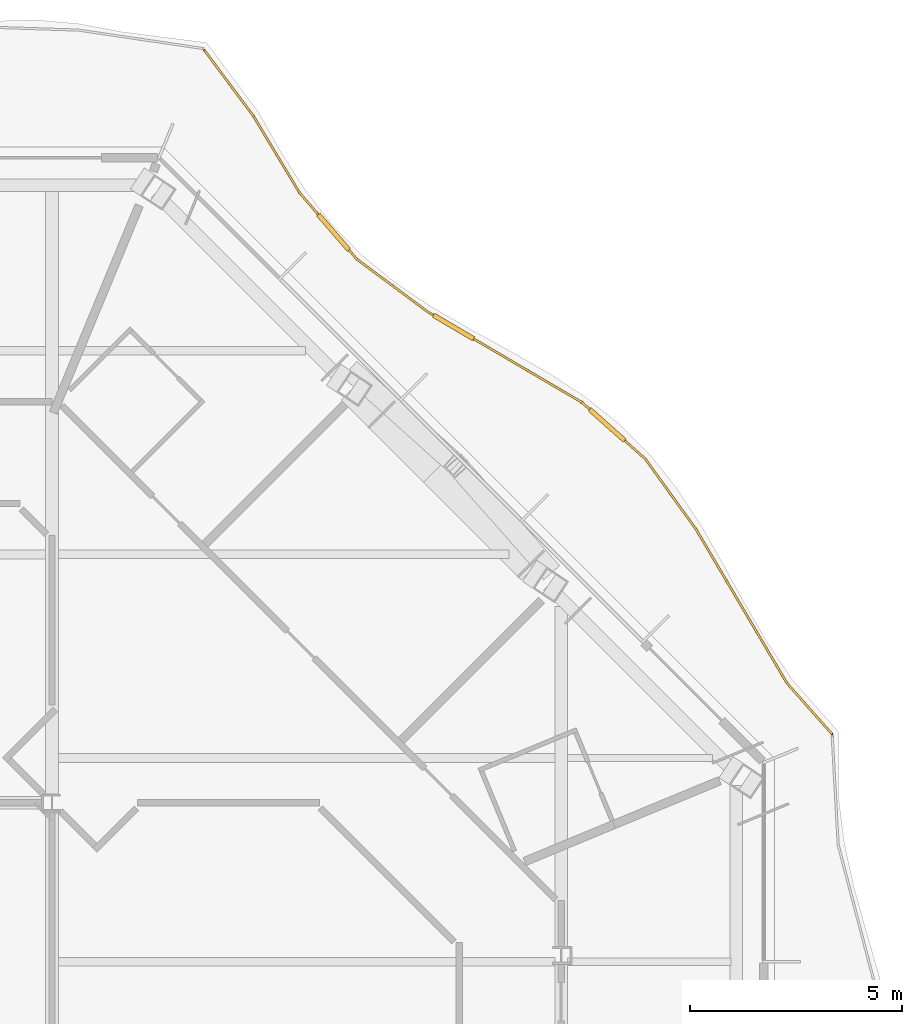
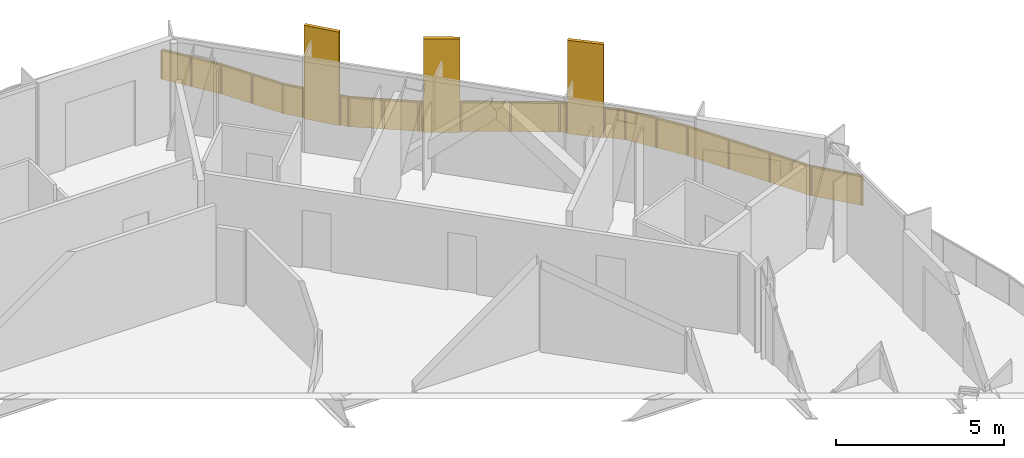
# One storey, part 22 of 22: 1 railing.
"""IFC4 building model written with IfcOpenShell, lengths in metres."""

import ifcopenshell
import ifcopenshell.guid

model = None  # the IFC model being written
_history = None  # IfcOwnerHistory: only IFC2X3 demands one
_inside = {}  # id of a spatial element -> (the spatial element, [elements in it])
_under = {}  # id of a project, library or spatial element -> (it, [spatial elements below it])
_declared = {}  # id of a project -> (the project, [libraries it declares])
_typed = {}  # id of a type object -> (the type object, [elements of that type])
_made_of = {}  # id of a material, layer set ... -> (it, [elements and type objects made of it])


def new_model(schema):
    """Start an empty IFC model of exactly this schema.

    Asked for "IFC4X3", IfcOpenShell would pick the latest addendum, in which some entities
    have other attributes; the version numbers below select the first issue.
    IFC2X3 requires an IfcOwnerHistory on every rooted entity: one is made here for all.
    """
    global model, _history
    if schema == "IFC4X3":
        model = ifcopenshell.file(schema_version=(4, 3, 0, 0))
    else:
        model = ifcopenshell.file(schema=schema)
    _inside.clear()
    _under.clear()
    _declared.clear()
    _typed.clear()
    _made_of.clear()
    _history = None
    if model.schema == "IFC2X3":
        org = make("IfcOrganization", Name="unknown")
        user = make(
            "IfcPersonAndOrganization",
            ThePerson=make("IfcPerson", FamilyName="unknown"),
            TheOrganization=org,
        )
        app = make(
            "IfcApplication",
            ApplicationDeveloper=org,
            Version="unknown",
            ApplicationFullName="unknown",
            ApplicationIdentifier="unknown",
        )
        _history = make(
            "IfcOwnerHistory",
            OwningUser=user,
            OwningApplication=app,
            ChangeAction="ADDED",
            CreationDate=0,
        )
    return model


def make(cls, **values):
    """One entity of the class cls with the attributes given. An attribute that is None is left unset."""
    return model.create_entity(
        cls, **{name: value for name, value in values.items() if value is not None}
    )


def rooted(cls, **values):
    """An entity with a GlobalId (a new one), such as an element, a storey or a relation."""
    return make(cls, GlobalId=ifcopenshell.guid.new(), OwnerHistory=_history, **values)


def si_unit(unit_type, name, prefix=None):
    """IfcSIUnit, for example si_unit("LENGTHUNIT", "METRE", prefix="MILLI")."""
    return make("IfcSIUnit", UnitType=unit_type, Prefix=prefix, Name=name)


def assignment(units):
    """IfcUnitAssignment: the units of a project."""
    return None if units is None else make("IfcUnitAssignment", Units=units)


def point(xyz):
    """IfcCartesianPoint."""
    return None if xyz is None else make("IfcCartesianPoint", Coordinates=xyz)


def direction(xyz):
    """IfcDirection."""
    return None if xyz is None else make("IfcDirection", DirectionRatios=xyz)


def frame(location, z_axis=None, x_axis=None):
    """IfcAxis2Placement3D, a coordinate frame: its origin and axes. An axis left out is left unset."""
    return make(
        "IfcAxis2Placement3D",
        Location=point(location),
        Axis=direction(z_axis),
        RefDirection=direction(x_axis),
    )


def frame_2d(location, x_axis=None):
    """IfcAxis2Placement2D, a coordinate frame in the plane: its origin and x axis."""
    return make(
        "IfcAxis2Placement2D", Location=point(location), RefDirection=direction(x_axis)
    )


def origin():
    """The frame at (0, 0, 0) with its axes left unset."""
    return frame((0.0, 0.0, 0.0))


def origin_2d():
    """The frame at (0, 0) in the plane with its x axis left unset."""
    return frame_2d((0.0, 0.0))


def place(relative_to, where):
    """IfcLocalPlacement: puts the frame where relative to a parent placement (None: the world)."""
    return make(
        "IfcLocalPlacement", PlacementRelTo=relative_to, RelativePlacement=where
    )


def context(
    kind, dimensions, precision=None, world=None, true_north=None, identifier=None
):
    """IfcGeometricRepresentationContext, for example the 3D "Model" context."""
    return make(
        "IfcGeometricRepresentationContext",
        ContextIdentifier=identifier,
        ContextType=kind,
        CoordinateSpaceDimension=dimensions,
        Precision=precision,
        WorldCoordinateSystem=world,
        TrueNorth=true_north,
    )


def subcontext(parent, identifier, kind, view, scale=None):
    """IfcGeometricRepresentationSubContext, for example "Body" below "Model"."""
    return make(
        "IfcGeometricRepresentationSubContext",
        ContextIdentifier=identifier,
        ContextType=kind,
        ParentContext=parent,
        TargetScale=scale,
        TargetView=view,
    )


def project(units=None, contexts=None):
    """IfcProject with its units and contexts."""
    return rooted(
        "IfcProject",
        Name="project",
        RepresentationContexts=contexts,
        UnitsInContext=assignment(units),
    )


def spatial(cls, under=None, at=None, **own):
    """A site, building, storey or space (cls), placed at a placement, below another one or the project."""
    s = rooted(cls, ObjectPlacement=at, **own)
    if under is not None:
        _under.setdefault(under.id(), (under, []))[1].append(s)
    return s


def polyline(points):
    """IfcPolyline through the points."""
    return make("IfcPolyline", Points=[point(p) for p in points])


def profile(cls, at=None, kind="AREA", **sizes):
    """A parametric profile (cls). Its sizes go by their IFC names, for example OverallWidth=200.0."""
    return make(cls, ProfileType=kind, Position=at, **sizes)


def rectangle(**sizes):
    """IfcRectangleProfileDef."""
    return profile("IfcRectangleProfileDef", **sizes)


def outline(outer, holes=None, kind="AREA"):
    """IfcArbitraryClosedProfileDef: a profile drawn as a closed curve; with holes, ...WithVoids."""
    if holes is None:
        return make("IfcArbitraryClosedProfileDef", ProfileType=kind, OuterCurve=outer)
    return make(
        "IfcArbitraryProfileDefWithVoids",
        ProfileType=kind,
        OuterCurve=outer,
        InnerCurves=holes,
    )


def extrude(swept, where, along, depth):
    """IfcExtrudedAreaSolid: the profile swept, set in the frame where, extruded along a direction by depth."""
    return make(
        "IfcExtrudedAreaSolid",
        SweptArea=swept,
        Position=where,
        ExtrudedDirection=direction(along),
        Depth=depth,
    )


def shape(context_of_items, identifier, shape_type, items):
    """IfcShapeRepresentation: the items that make up one representation, for example the "Body"."""
    return make(
        "IfcShapeRepresentation",
        ContextOfItems=context_of_items,
        RepresentationIdentifier=identifier,
        RepresentationType=shape_type,
        Items=items,
    )


def material(Name=None, Category=None):
    """IfcMaterial."""
    return make("IfcMaterial", Name=Name, Category=Category)


def made_of(thing, what):
    """Note that an element or type object is made of a material, layer set ...; save() writes the relation."""
    if what is not None:
        _made_of.setdefault(what.id(), (what, []))[1].append(thing)
    return thing


def type_object(cls, material=None, **own):
    """A type object (cls), such as IfcWallType, which elements share."""
    return made_of(rooted(cls, **own), material)


def element(
    cls,
    number,
    at=None,
    inside=None,
    cuts=None,
    type_object=None,
    material=None,
    context=None,
    identifier="Body",
    shape_type=None,
    held_by="IfcProductDefinitionShape",
    body=None,
    shapes=None,
    **own,
):
    """One element of the class cls, such as IfcWall. Its Tag is "e" and its number.

    at: its placement. inside: the storey or other place that contains it. cuts: it is an
    opening in that element (IfcRelVoidsElement). A single representation is given by context,
    identifier, shape_type and body (its items); several are given by shapes. held_by: the class
    of the entity that holds the representations. save() writes the other relations.
    """
    e = rooted(cls, Tag="e%d" % number, ObjectPlacement=at, **own)
    if body is not None:
        shapes = [shape(context, identifier, shape_type, body)]
    if shapes is not None:
        e.Representation = make(held_by, Representations=shapes)
    if inside is not None:
        _inside.setdefault(inside.id(), (inside, []))[1].append(e)
    if cuts is not None:
        rooted(
            "IfcRelVoidsElement", RelatingBuildingElement=cuts, RelatedOpeningElement=e
        )
    if type_object is not None:
        _typed.setdefault(type_object.id(), (type_object, []))[1].append(e)
    return made_of(e, material)


def aggregate(whole, parts):
    """IfcRelAggregates: a whole, such as a stair, and the parts it consists of."""
    return rooted("IfcRelAggregates", RelatingObject=whole, RelatedObjects=parts)


def save(model, path):
    """Write the relations noted so far, then the file.

    IfcRelAggregates (storeys below a building ...), IfcRelContainedInSpatialStructure (elements
    in a storey), IfcRelDefinesByType, IfcRelAssociatesMaterial and IfcRelDeclares: one each for
    every whole, place, type object, material and project.
    """
    for whole, parts in _under.values():
        aggregate(whole, parts)
    for where, things in _inside.values():
        rooted(
            "IfcRelContainedInSpatialStructure",
            RelatedElements=things,
            RelatingStructure=where,
        )
    for kind, things in _typed.values():
        rooted("IfcRelDefinesByType", RelatedObjects=things, RelatingType=kind)
    for what, things in _made_of.values():
        rooted("IfcRelAssociatesMaterial", RelatedObjects=things, RelatingMaterial=what)
    for by, libraries in _declared.values():
        rooted("IfcRelDeclares", RelatingContext=by, RelatedDefinitions=libraries)
    model.write(path)


model = new_model("IFC4")

# Units and contexts
model_context = context("Model", 3, precision=1e-05, world=origin(), true_north=direction((0.0, 1.0)))
body_context = subcontext(model_context, "Body", "Model", "MODEL_VIEW")
ifc_project = project(units=[si_unit("LENGTHUNIT", "METRE"), si_unit("AREAUNIT", "SQUARE_METRE"), si_unit("VOLUMEUNIT", "CUBIC_METRE"), si_unit("PLANEANGLEUNIT", "RADIAN"), si_unit("MASSUNIT", "GRAM", prefix="KILO")], contexts=[model_context])

# Site, building, storey
site_placement = place(None, origin())
site = spatial("IfcSite", under=ifc_project, at=site_placement, CompositionType="ELEMENT")
building_placement = place(site_placement, origin())
building = spatial("IfcBuilding", under=site, at=building_placement, Name="Cairn Pilgrim Tower", CompositionType="ELEMENT")
storey_placement = place(building_placement, frame((0.0, 0.0, 175.800048828125)))
storey = spatial("IfcBuildingStorey", under=building, at=storey_placement, Name="L44", CompositionType="ELEMENT", Elevation=175.800048828125)

# Railing
ifc_material = material(Name="Bronze anodised aluminium rail, posts and fin screens with laminated glass infill", Category="aluminium")
railing_type = type_object("IfcRailingType", Name="BALCONY GUARD WITH FIN SCREENS", PredefinedType="GUARDRAIL", material=ifc_material)
railing_placement = place(storey_placement, frame((37.585693359375, 14.814208984375, 0.0)))
element("IfcRailing", 1, at=railing_placement, inside=storey, type_object=railing_type, Name="Balcony guard BGF-4 with fin screens", PredefinedType="GUARDRAIL", context=body_context, shape_type="SweptSolid", body=[
    extrude(rectangle(XDim=0.050048828125, YDim=0.050048828125, at=origin_2d()), frame((0.0, 0.0, 1.0751953125), z_axis=(-0.662750771144, 0.748840046571, 0.0), x_axis=(-0.748840046571, -0.662750771144, 0.0)), (0.0, 0.0, 1.0), 1.60791015625),
    extrude(rectangle(XDim=0.050048828125, YDim=0.050048828125, at=origin_2d()), frame((-1.065673828125, 1.2041015625, 1.0751953125), z_axis=(-0.508612168448, 0.860995738727, 0.0), x_axis=(-0.860995738727, -0.508612168448, 0.0)), (0.0, 0.0, 1.0), 4.213134765625),
    extrude(rectangle(XDim=0.050048828125, YDim=0.050048828125, at=origin_2d()), frame((-3.20849609375, 4.83154296875, 1.0751953125), z_axis=(-0.585092778876, 0.810966361884, 0.0), x_axis=(-0.810966361884, -0.585092778876, 0.0)), (0.0, 0.0, 1.0), 2.03955078125),
    extrude(rectangle(XDim=1.10009765625, YDim=0.110107421875, at=origin_2d()), frame((-5.301513671875, 7.287841796875, 0.0), z_axis=(0.0, 0.0, 1.0), x_axis=(-0.74630848918, 0.665600209568, 0.0)), (0.0, 0.0, 1.0), 3.39990234375),
    extrude(rectangle(XDim=0.050048828125, YDim=0.050048828125, at=origin_2d()), frame((-4.40185546875, 6.485595703125, 1.0751953125), z_axis=(-0.74630848918, 0.665600209568, 0.0), x_axis=(-0.665600209568, -0.74630848918, 0.0)), (0.0, 0.0, 1.0), 0.655517578125),
    extrude(rectangle(XDim=0.050048828125, YDim=0.050048828125, at=origin_2d()), frame((-5.7119140625, 7.654052734375, 1.0751953125), z_axis=(-0.74630848918, 0.665600209568, 0.0), x_axis=(-0.665600209568, -0.74630848918, 0.0)), (0.0, 0.0, 1.0), 0.253173828125),
    extrude(rectangle(XDim=1.10009765625, YDim=0.110107421875, at=origin_2d()), frame((-8.9208984375, 9.59521484375, 0.0), z_axis=(0.0, 0.0, 1.0), x_axis=(-0.862420746519, 0.506192113702, 0.0)), (0.0, 0.0, 1.0), 3.39990234375),
    extrude(rectangle(XDim=0.050048828125, YDim=0.050048828125, at=origin_2d()), frame((-5.90087890625, 7.822509765625, 1.0751953125), z_axis=(-0.862420746519, 0.506192113702, 0.0), x_axis=(-0.506192113702, -0.862420746519, 0.0)), (0.0, 0.0, 1.0), 2.951904296875),
    extrude(rectangle(XDim=0.050048828125, YDim=0.050048828125, at=origin_2d()), frame((-9.395263671875, 9.87353515625, 1.0751953125), z_axis=(-0.862420746519, 0.506192113702, 0.0), x_axis=(-0.506192113702, -0.862420746519, 0.0)), (0.0, 0.0, 1.0), 0.14990234375),
    extrude(rectangle(XDim=0.050048828125, YDim=0.050048828125, at=origin_2d()), frame((-9.524658203125, 9.949462890625, 1.0751953125), z_axis=(-0.80292974892, 0.596073668517, 0.0), x_axis=(-0.596073668517, -0.80292974892, 0.0)), (0.0, 0.0, 1.0), 2.083251953125),
    extrude(rectangle(XDim=1.10009765625, YDim=0.110107421875, at=origin_2d()), frame((-11.747802734375, 11.82861328125, 0.0), z_axis=(0.0, 0.0, 1.0), x_axis=(-0.653659761016, 0.756788554901, 0.0)), (0.0, 0.0, 1.0), 3.39990234375),
    extrude(rectangle(XDim=0.050048828125, YDim=0.050048828125, at=origin_2d()), frame((-11.197265625, 11.191162109375, 1.0751953125), z_axis=(-0.653659761016, 0.756788554901, 0.0), x_axis=(-0.756788554901, -0.653659761016, 0.0)), (0.0, 0.0, 1.0), 0.292236328125),
    extrude(rectangle(XDim=0.050048828125, YDim=0.050048828125, at=origin_2d()), frame((-12.107177734375, 12.24462890625, 1.0751953125), z_axis=(-0.653659761016, 0.756788554901, 0.0), x_axis=(-0.756788554901, -0.653659761016, 0.0)), (0.0, 0.0, 1.0), 0.67919921875),
    extrude(rectangle(XDim=0.050048828125, YDim=0.050048828125, at=origin_2d()), frame((-12.55126953125, 12.7587890625, 1.0751953125), z_axis=(-0.514751644521, 0.857339340322, 0.0), x_axis=(-0.857339340322, -0.514751644521, 0.0)), (0.0, 0.0, 1.0), 2.1044921875),
    extrude(rectangle(XDim=0.050048828125, YDim=0.050048828125, at=origin_2d()), frame((-13.634521484375, 14.56298828125, 1.0751953125), z_axis=(-0.597771528263, 0.801666514205, 0.0), x_axis=(-0.801666514205, -0.597771528263, 0.0)), (0.0, 0.0, 1.0), 1.93017578125),
    extrude(rectangle(XDim=0.050048828125, YDim=0.050048828125, at=origin_2d()), origin(), (0.0, 0.0, 1.0), 1.050048828125),
    extrude(rectangle(XDim=0.050048828125, YDim=0.050048828125, at=origin_2d()), frame((-1.065673828125, 1.2041015625, 0.0)), (0.0, 0.0, 1.0), 1.050048828125),
    extrude(rectangle(XDim=0.050048828125, YDim=0.050048828125, at=origin_2d()), frame((-1.780029296875, 2.413330078125, 0.0)), (0.0, 0.0, 1.0), 1.050048828125),
    extrude(rectangle(XDim=0.050048828125, YDim=0.050048828125, at=origin_2d()), frame((-2.494140625, 3.622314453125, 0.0)), (0.0, 0.0, 1.0), 1.050048828125),
    extrude(rectangle(XDim=0.050048828125, YDim=0.050048828125, at=origin_2d()), frame((-3.20849609375, 4.83154296875, 0.0)), (0.0, 0.0, 1.0), 1.050048828125),
    extrude(rectangle(XDim=0.050048828125, YDim=0.050048828125, at=origin_2d()), frame((-3.80517578125, 5.65869140625, 0.0)), (0.0, 0.0, 1.0), 1.050048828125),
    extrude(rectangle(XDim=0.050048828125, YDim=0.050048828125, at=origin_2d()), frame((-4.40185546875, 6.485595703125, 0.0)), (0.0, 0.0, 1.0), 1.050048828125),
    extrude(rectangle(XDim=0.050048828125, YDim=0.050048828125, at=origin_2d()), frame((-4.872314453125, 6.9052734375, 0.0)), (0.0, 0.0, 1.0), 1.050048828125),
    extrude(rectangle(XDim=0.050048828125, YDim=0.050048828125, at=origin_2d()), frame((-5.730712890625, 7.670654296875, 0.0)), (0.0, 0.0, 1.0), 1.050048828125),
    extrude(rectangle(XDim=0.050048828125, YDim=0.050048828125, at=origin_2d()), frame((-5.90087890625, 7.822509765625, 0.0)), (0.0, 0.0, 1.0), 1.050048828125),
    extrude(rectangle(XDim=0.050048828125, YDim=0.050048828125, at=origin_2d()), frame((-7.1630859375, 8.563232421875, 0.0)), (0.0, 0.0, 1.0), 1.050048828125),
    extrude(rectangle(XDim=0.050048828125, YDim=0.050048828125, at=origin_2d()), frame((-8.425048828125, 9.303955078125, 0.0)), (0.0, 0.0, 1.0), 1.050048828125),
    extrude(rectangle(XDim=0.050048828125, YDim=0.050048828125, at=origin_2d()), frame((-9.4169921875, 9.88623046875, 0.0)), (0.0, 0.0, 1.0), 1.050048828125),
    extrude(rectangle(XDim=0.050048828125, YDim=0.050048828125, at=origin_2d()), frame((-9.524658203125, 9.949462890625, 0.0)), (0.0, 0.0, 1.0), 1.050048828125),
    extrude(rectangle(XDim=0.050048828125, YDim=0.050048828125, at=origin_2d()), frame((-10.36083984375, 10.5703125, 0.0)), (0.0, 0.0, 1.0), 1.050048828125),
    extrude(rectangle(XDim=0.050048828125, YDim=0.050048828125, at=origin_2d()), frame((-11.197265625, 11.191162109375, 0.0)), (0.0, 0.0, 1.0), 1.050048828125),
    extrude(rectangle(XDim=0.050048828125, YDim=0.050048828125, at=origin_2d()), frame((-11.371826171875, 11.393310546875, 0.0)), (0.0, 0.0, 1.0), 1.050048828125),
    extrude(rectangle(XDim=0.050048828125, YDim=0.050048828125, at=origin_2d()), frame((-12.12353515625, 12.263671875, 0.0)), (0.0, 0.0, 1.0), 1.050048828125),
    extrude(rectangle(XDim=0.050048828125, YDim=0.050048828125, at=origin_2d()), frame((-12.55126953125, 12.7587890625, 0.0)), (0.0, 0.0, 1.0), 1.050048828125),
    extrude(rectangle(XDim=0.050048828125, YDim=0.050048828125, at=origin_2d()), frame((-13.0927734375, 13.660888671875, 0.0)), (0.0, 0.0, 1.0), 1.050048828125),
    extrude(rectangle(XDim=0.050048828125, YDim=0.050048828125, at=origin_2d()), frame((-13.634521484375, 14.56298828125, 0.0)), (0.0, 0.0, 1.0), 1.050048828125),
    extrude(rectangle(XDim=0.050048828125, YDim=0.050048828125, at=origin_2d()), frame((-14.21142578125, 15.336669921875, 0.0)), (0.0, 0.0, 1.0), 1.050048828125),
    extrude(rectangle(XDim=0.050048828125, YDim=0.050048828125, at=origin_2d()), frame((-14.788330078125, 16.1103515625, 0.0)), (0.0, 0.0, 1.0), 1.050048828125),
    extrude(outline(polyline([(0.02490234375, 0.0), (1.5830078125, 0.0), (1.5830078125, 1.050048828125), (0.02490234375, 1.050048828125), (0.02490234375, 0.0)])), frame((-0.00439453125, -0.00390625, 0.0), z_axis=(0.748840046571, 0.662750771144, 0.0), x_axis=(-0.662750771144, 0.748840046571, 0.0)), (0.0, 0.0, 1.0), 0.011962890625),
    extrude(outline(polyline([(0.02490234375, 0.0), (1.37939453125, 0.0), (1.37939453125, 1.050048828125), (0.02490234375, 1.050048828125), (0.02490234375, 0.0)])), frame((-1.07080078125, 1.201171875, 0.0), z_axis=(0.860995738727, 0.508612168448, 0.0), x_axis=(-0.508612168448, 0.860995738727, 0.0)), (0.0, 0.0, 1.0), 0.011962890625),
    extrude(outline(polyline([(0.02490234375, 0.0), (1.37939453125, 0.0), (1.37939453125, 1.050048828125), (0.02490234375, 1.050048828125), (0.02490234375, 0.0)])), frame((-1.78515625, 2.41015625, 0.0), z_axis=(0.860995738727, 0.508612168448, 0.0), x_axis=(-0.508612168448, 0.860995738727, 0.0)), (0.0, 0.0, 1.0), 0.011962890625),
    extrude(outline(polyline([(0.02490234375, 0.0), (1.37939453125, 0.0), (1.37939453125, 1.050048828125), (0.02490234375, 1.050048828125), (0.02490234375, 0.0)])), frame((-2.499267578125, 3.619384765625, 0.0), z_axis=(0.860995738727, 0.508612168448, 0.0), x_axis=(-0.508612168448, 0.860995738727, 0.0)), (0.0, 0.0, 1.0), 0.011962890625),
    extrude(outline(polyline([(0.02490234375, 0.0), (0.994873046875, 0.0), (0.994873046875, 1.050048828125), (0.02490234375, 1.050048828125), (0.02490234375, 0.0)])), frame((-3.21337890625, 4.828125, 0.0), z_axis=(0.810966361884, 0.585092778876, 0.0), x_axis=(-0.585092778876, 0.810966361884, 0.0)), (0.0, 0.0, 1.0), 0.011962890625),
    extrude(outline(polyline([(0.02490234375, 0.0), (0.994873046875, 0.0), (0.994873046875, 1.050048828125), (0.02490234375, 1.050048828125), (0.02490234375, 0.0)])), frame((-3.81005859375, 5.655029296875, 0.0), z_axis=(0.810966361884, 0.585092778876, 0.0), x_axis=(-0.585092778876, 0.810966361884, 0.0)), (0.0, 0.0, 1.0), 0.011962890625),
    extrude(outline(polyline([(0.02490234375, 0.0), (0.60546875, 0.0), (0.60546875, 1.050048828125), (0.02490234375, 1.050048828125), (0.02490234375, 0.0)])), frame((-4.40576171875, 6.481201171875, 0.0), z_axis=(0.665600209568, 0.74630848918, 0.0), x_axis=(-0.74630848918, 0.665600209568, 0.0)), (0.0, 0.0, 1.0), 0.011962890625),
    extrude(outline(polyline([(0.02490234375, 0.0), (0.203125, 0.0), (0.203125, 1.050048828125), (0.02490234375, 1.050048828125), (0.02490234375, 0.0)])), frame((-5.734619140625, 7.666259765625, 0.0), z_axis=(0.665600209568, 0.74630848918, 0.0), x_axis=(-0.74630848918, 0.665600209568, 0.0)), (0.0, 0.0, 1.0), 0.011962890625),
    extrude(outline(polyline([(0.02490234375, 0.0), (1.4384765625, 0.0), (1.4384765625, 1.050048828125), (0.02490234375, 1.050048828125), (0.02490234375, 0.0)])), frame((-5.90380859375, 7.8173828125, 0.0), z_axis=(0.506192113702, 0.862420746519, 0.0), x_axis=(-0.862420746519, 0.506192113702, 0.0)), (0.0, 0.0, 1.0), 0.011962890625),
    extrude(outline(polyline([(0.02490234375, 0.0), (1.4384765625, 0.0), (1.4384765625, 1.050048828125), (0.02490234375, 1.050048828125), (0.02490234375, 0.0)])), frame((-7.166015625, 8.55810546875, 0.0), z_axis=(0.506192113702, 0.862420746519, 0.0), x_axis=(-0.862420746519, 0.506192113702, 0.0)), (0.0, 0.0, 1.0), 0.011962890625),
    extrude(outline(polyline([(0.02490234375, 0.0), (0.099853515625, 0.0), (0.099853515625, 1.050048828125), (0.02490234375, 1.050048828125), (0.02490234375, 0.0)])), frame((-9.419921875, 9.881103515625, 0.0), z_axis=(0.506192113702, 0.862420746519, 0.0), x_axis=(-0.862420746519, 0.506192113702, 0.0)), (0.0, 0.0, 1.0), 0.011962890625),
    extrude(outline(polyline([(0.02490234375, 0.0), (1.0166015625, 0.0), (1.0166015625, 1.050048828125), (0.02490234375, 1.050048828125), (0.02490234375, 0.0)])), frame((-9.5283203125, 9.944580078125, 0.0), z_axis=(0.596073668517, 0.80292974892, 0.0), x_axis=(-0.80292974892, 0.596073668517, 0.0)), (0.0, 0.0, 1.0), 0.011962890625),
    extrude(outline(polyline([(0.02490234375, 0.0), (1.0166015625, 0.0), (1.0166015625, 1.050048828125), (0.02490234375, 1.050048828125), (0.02490234375, 0.0)])), frame((-10.364501953125, 10.5654296875, 0.0), z_axis=(0.596073668517, 0.80292974892, 0.0), x_axis=(-0.80292974892, 0.596073668517, 0.0)), (0.0, 0.0, 1.0), 0.011962890625),
    extrude(outline(polyline([(0.02490234375, 0.0), (0.2421875, 0.0), (0.2421875, 1.050048828125), (0.02490234375, 1.050048828125), (0.02490234375, 0.0)])), frame((-11.201904296875, 11.187255859375, 0.0), z_axis=(0.756788554901, 0.653659761016, 0.0), x_axis=(-0.653659761016, 0.756788554901, 0.0)), (0.0, 0.0, 1.0), 0.011962890625),
    extrude(outline(polyline([(0.02490234375, 0.0), (0.629150390625, 0.0), (0.629150390625, 1.050048828125), (0.02490234375, 1.050048828125), (0.02490234375, 0.0)])), frame((-12.128173828125, 12.259765625, 0.0), z_axis=(0.756788554901, 0.653659761016, 0.0), x_axis=(-0.653659761016, 0.756788554901, 0.0)), (0.0, 0.0, 1.0), 0.011962890625),
    extrude(outline(polyline([(0.02490234375, 0.0), (1.027099609375, 0.0), (1.027099609375, 1.050048828125), (0.02490234375, 1.050048828125), (0.02490234375, 0.0)])), frame((-12.556396484375, 12.755615234375, 0.0), z_axis=(0.857339340322, 0.514751644521, 0.0), x_axis=(-0.514751644521, 0.857339340322, 0.0)), (0.0, 0.0, 1.0), 0.011962890625),
    extrude(outline(polyline([(0.02490234375, 0.0), (1.027099609375, 0.0), (1.027099609375, 1.050048828125), (0.02490234375, 1.050048828125), (0.02490234375, 0.0)])), frame((-13.09814453125, 13.65771484375, 0.0), z_axis=(0.857339340322, 0.514751644521, 0.0), x_axis=(-0.514751644521, 0.857339340322, 0.0)), (0.0, 0.0, 1.0), 0.011962890625),
    extrude(outline(polyline([(0.02490234375, 0.0), (0.940185546875, 0.0), (0.940185546875, 1.050048828125), (0.02490234375, 1.050048828125), (0.02490234375, 0.0)])), frame((-13.639404296875, 14.559326171875, 0.0), z_axis=(0.801666514205, 0.597771528263, 0.0), x_axis=(-0.597771528263, 0.801666514205, 0.0)), (0.0, 0.0, 1.0), 0.011962890625),
    extrude(outline(polyline([(0.02490234375, 0.0), (0.940185546875, 0.0), (0.940185546875, 1.050048828125), (0.02490234375, 1.050048828125), (0.02490234375, 0.0)])), frame((-14.21630859375, 15.3330078125, 0.0), z_axis=(0.801666514205, 0.597771528263, 0.0), x_axis=(-0.597771528263, 0.801666514205, 0.0)), (0.0, 0.0, 1.0), 0.011962890625),
])

save(model, "model.ifc")
